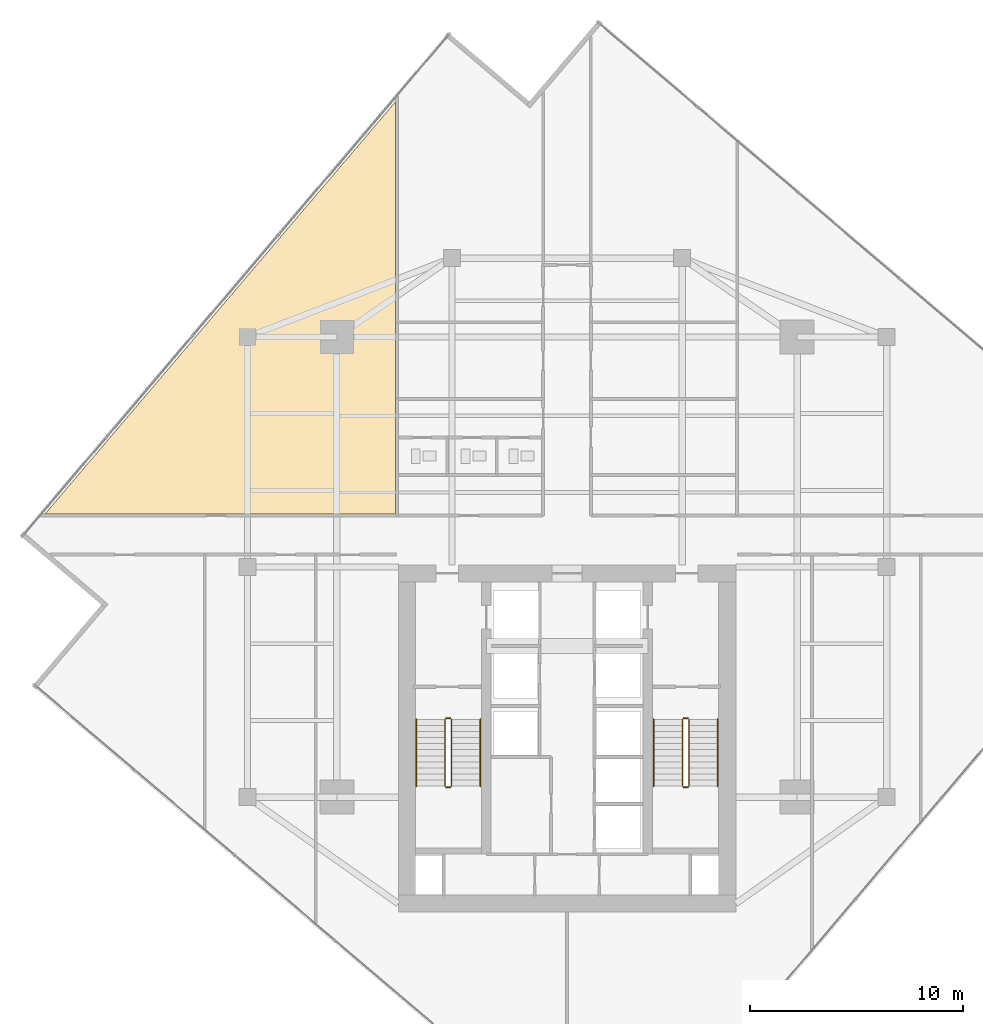
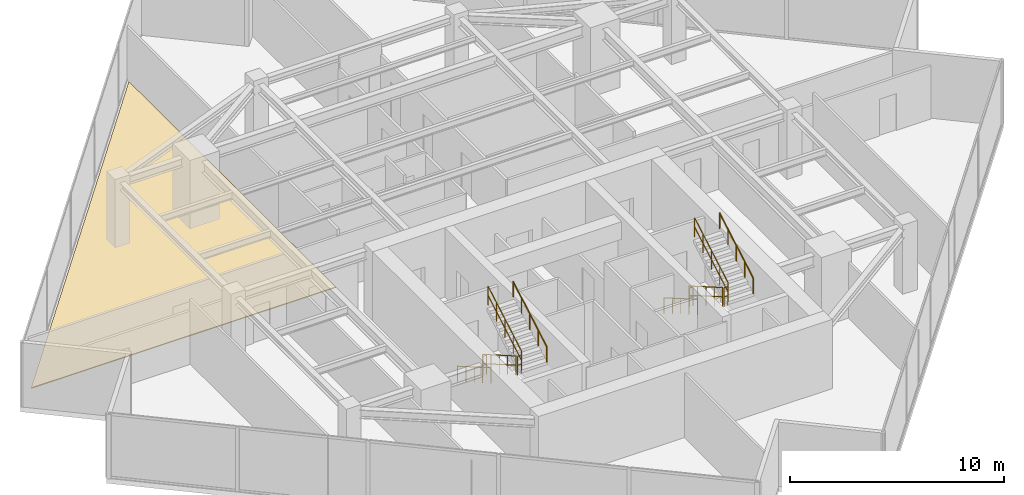
# One storey, part 25 of 26: 12 railings, 1 covering.
"""IFC4 building model written with IfcOpenShell, lengths in metres."""

import ifcopenshell
import ifcopenshell.guid

model = None  # the IFC model being written
_history = None  # IfcOwnerHistory: only IFC2X3 demands one
_inside = {}  # id of a spatial element -> (the spatial element, [elements in it])
_under = {}  # id of a project, library or spatial element -> (it, [spatial elements below it])
_declared = {}  # id of a project -> (the project, [libraries it declares])
_typed = {}  # id of a type object -> (the type object, [elements of that type])
_made_of = {}  # id of a material, layer set ... -> (it, [elements and type objects made of it])


def new_model(schema):
    """Start an empty IFC model of exactly this schema.

    Asked for "IFC4X3", IfcOpenShell would pick the latest addendum, in which some entities
    have other attributes; the version numbers below select the first issue.
    IFC2X3 requires an IfcOwnerHistory on every rooted entity: one is made here for all.
    """
    global model, _history
    if schema == "IFC4X3":
        model = ifcopenshell.file(schema_version=(4, 3, 0, 0))
    else:
        model = ifcopenshell.file(schema=schema)
    _inside.clear()
    _under.clear()
    _declared.clear()
    _typed.clear()
    _made_of.clear()
    _history = None
    if model.schema == "IFC2X3":
        org = make("IfcOrganization", Name="unknown")
        user = make(
            "IfcPersonAndOrganization",
            ThePerson=make("IfcPerson", FamilyName="unknown"),
            TheOrganization=org,
        )
        app = make(
            "IfcApplication",
            ApplicationDeveloper=org,
            Version="unknown",
            ApplicationFullName="unknown",
            ApplicationIdentifier="unknown",
        )
        _history = make(
            "IfcOwnerHistory",
            OwningUser=user,
            OwningApplication=app,
            ChangeAction="ADDED",
            CreationDate=0,
        )
    return model


def make(cls, **values):
    """One entity of the class cls with the attributes given. An attribute that is None is left unset."""
    return model.create_entity(
        cls, **{name: value for name, value in values.items() if value is not None}
    )


def rooted(cls, **values):
    """An entity with a GlobalId (a new one), such as an element, a storey or a relation."""
    return make(cls, GlobalId=ifcopenshell.guid.new(), OwnerHistory=_history, **values)


def si_unit(unit_type, name, prefix=None):
    """IfcSIUnit, for example si_unit("LENGTHUNIT", "METRE", prefix="MILLI")."""
    return make("IfcSIUnit", UnitType=unit_type, Prefix=prefix, Name=name)


def assignment(units):
    """IfcUnitAssignment: the units of a project."""
    return None if units is None else make("IfcUnitAssignment", Units=units)


def point(xyz):
    """IfcCartesianPoint."""
    return None if xyz is None else make("IfcCartesianPoint", Coordinates=xyz)


def direction(xyz):
    """IfcDirection."""
    return None if xyz is None else make("IfcDirection", DirectionRatios=xyz)


def frame(location, z_axis=None, x_axis=None):
    """IfcAxis2Placement3D, a coordinate frame: its origin and axes. An axis left out is left unset."""
    return make(
        "IfcAxis2Placement3D",
        Location=point(location),
        Axis=direction(z_axis),
        RefDirection=direction(x_axis),
    )


def frame_2d(location, x_axis=None):
    """IfcAxis2Placement2D, a coordinate frame in the plane: its origin and x axis."""
    return make(
        "IfcAxis2Placement2D", Location=point(location), RefDirection=direction(x_axis)
    )


def origin():
    """The frame at (0, 0, 0) with its axes left unset."""
    return frame((0.0, 0.0, 0.0))


def origin_2d():
    """The frame at (0, 0) in the plane with its x axis left unset."""
    return frame_2d((0.0, 0.0))


def place(relative_to, where):
    """IfcLocalPlacement: puts the frame where relative to a parent placement (None: the world)."""
    return make(
        "IfcLocalPlacement", PlacementRelTo=relative_to, RelativePlacement=where
    )


def context(
    kind, dimensions, precision=None, world=None, true_north=None, identifier=None
):
    """IfcGeometricRepresentationContext, for example the 3D "Model" context."""
    return make(
        "IfcGeometricRepresentationContext",
        ContextIdentifier=identifier,
        ContextType=kind,
        CoordinateSpaceDimension=dimensions,
        Precision=precision,
        WorldCoordinateSystem=world,
        TrueNorth=true_north,
    )


def subcontext(parent, identifier, kind, view, scale=None):
    """IfcGeometricRepresentationSubContext, for example "Body" below "Model"."""
    return make(
        "IfcGeometricRepresentationSubContext",
        ContextIdentifier=identifier,
        ContextType=kind,
        ParentContext=parent,
        TargetScale=scale,
        TargetView=view,
    )


def project(units=None, contexts=None):
    """IfcProject with its units and contexts."""
    return rooted(
        "IfcProject",
        Name="project",
        RepresentationContexts=contexts,
        UnitsInContext=assignment(units),
    )


def spatial(cls, under=None, at=None, **own):
    """A site, building, storey or space (cls), placed at a placement, below another one or the project."""
    s = rooted(cls, ObjectPlacement=at, **own)
    if under is not None:
        _under.setdefault(under.id(), (under, []))[1].append(s)
    return s


def polyline(points):
    """IfcPolyline through the points."""
    return make("IfcPolyline", Points=[point(p) for p in points])


def profile(cls, at=None, kind="AREA", **sizes):
    """A parametric profile (cls). Its sizes go by their IFC names, for example OverallWidth=200.0."""
    return make(cls, ProfileType=kind, Position=at, **sizes)


def circle(**sizes):
    """IfcCircleProfileDef."""
    return profile("IfcCircleProfileDef", **sizes)


def outline(outer, holes=None, kind="AREA"):
    """IfcArbitraryClosedProfileDef: a profile drawn as a closed curve; with holes, ...WithVoids."""
    if holes is None:
        return make("IfcArbitraryClosedProfileDef", ProfileType=kind, OuterCurve=outer)
    return make(
        "IfcArbitraryProfileDefWithVoids",
        ProfileType=kind,
        OuterCurve=outer,
        InnerCurves=holes,
    )


def extrude(swept, where, along, depth):
    """IfcExtrudedAreaSolid: the profile swept, set in the frame where, extruded along a direction by depth."""
    return make(
        "IfcExtrudedAreaSolid",
        SweptArea=swept,
        Position=where,
        ExtrudedDirection=direction(along),
        Depth=depth,
    )


def shape(context_of_items, identifier, shape_type, items):
    """IfcShapeRepresentation: the items that make up one representation, for example the "Body"."""
    return make(
        "IfcShapeRepresentation",
        ContextOfItems=context_of_items,
        RepresentationIdentifier=identifier,
        RepresentationType=shape_type,
        Items=items,
    )


def material(Name=None, Category=None):
    """IfcMaterial."""
    return make("IfcMaterial", Name=Name, Category=Category)


def layer(
    of_material, thickness, ventilated=None, Name=None, Category=None, Priority=None
):
    """IfcMaterialLayer: one layer of a wall or slab, of a material (None: an air gap)."""
    return make(
        "IfcMaterialLayer",
        Material=of_material,
        LayerThickness=thickness,
        IsVentilated=ventilated,
        Name=Name,
        Category=Category,
        Priority=Priority,
    )


def layer_set(layers, Name=None):
    """IfcMaterialLayerSet."""
    return make("IfcMaterialLayerSet", MaterialLayers=layers, LayerSetName=Name)


def made_of(thing, what):
    """Note that an element or type object is made of a material, layer set ...; save() writes the relation."""
    if what is not None:
        _made_of.setdefault(what.id(), (what, []))[1].append(thing)
    return thing


def type_object(cls, material=None, **own):
    """A type object (cls), such as IfcWallType, which elements share."""
    return made_of(rooted(cls, **own), material)


def element(
    cls,
    number,
    at=None,
    inside=None,
    cuts=None,
    type_object=None,
    material=None,
    context=None,
    identifier="Body",
    shape_type=None,
    held_by="IfcProductDefinitionShape",
    body=None,
    shapes=None,
    **own,
):
    """One element of the class cls, such as IfcWall. Its Tag is "e" and its number.

    at: its placement. inside: the storey or other place that contains it. cuts: it is an
    opening in that element (IfcRelVoidsElement). A single representation is given by context,
    identifier, shape_type and body (its items); several are given by shapes. held_by: the class
    of the entity that holds the representations. save() writes the other relations.
    """
    e = rooted(cls, Tag="e%d" % number, ObjectPlacement=at, **own)
    if body is not None:
        shapes = [shape(context, identifier, shape_type, body)]
    if shapes is not None:
        e.Representation = make(held_by, Representations=shapes)
    if inside is not None:
        _inside.setdefault(inside.id(), (inside, []))[1].append(e)
    if cuts is not None:
        rooted(
            "IfcRelVoidsElement", RelatingBuildingElement=cuts, RelatedOpeningElement=e
        )
    if type_object is not None:
        _typed.setdefault(type_object.id(), (type_object, []))[1].append(e)
    return made_of(e, material)


def aggregate(whole, parts):
    """IfcRelAggregates: a whole, such as a stair, and the parts it consists of."""
    return rooted("IfcRelAggregates", RelatingObject=whole, RelatedObjects=parts)


def save(model, path):
    """Write the relations noted so far, then the file.

    IfcRelAggregates (storeys below a building ...), IfcRelContainedInSpatialStructure (elements
    in a storey), IfcRelDefinesByType, IfcRelAssociatesMaterial and IfcRelDeclares: one each for
    every whole, place, type object, material and project.
    """
    for whole, parts in _under.values():
        aggregate(whole, parts)
    for where, things in _inside.values():
        rooted(
            "IfcRelContainedInSpatialStructure",
            RelatedElements=things,
            RelatingStructure=where,
        )
    for kind, things in _typed.values():
        rooted("IfcRelDefinesByType", RelatedObjects=things, RelatingType=kind)
    for what, things in _made_of.values():
        rooted("IfcRelAssociatesMaterial", RelatedObjects=things, RelatingMaterial=what)
    for by, libraries in _declared.values():
        rooted("IfcRelDeclares", RelatingContext=by, RelatedDefinitions=libraries)
    model.write(path)


model = new_model("IFC4")

# Units and contexts
model_context = context("Model", 3, precision=1e-05, world=origin(), true_north=direction((0.0, 1.0)))
body_context = subcontext(model_context, "Body", "Model", "MODEL_VIEW")
ifc_project = project(units=[si_unit("LENGTHUNIT", "METRE"), si_unit("AREAUNIT", "SQUARE_METRE"), si_unit("VOLUMEUNIT", "CUBIC_METRE"), si_unit("PLANEANGLEUNIT", "RADIAN"), si_unit("MASSUNIT", "GRAM", prefix="KILO")], contexts=[model_context])

# Site, building, storey
site_placement = place(None, origin())
site = spatial("IfcSite", under=ifc_project, at=site_placement, CompositionType="ELEMENT")
building_placement = place(site_placement, origin())
building = spatial("IfcBuilding", under=site, at=building_placement, Name="Krantzveldt Concourse Tower", CompositionType="ELEMENT")
storey_placement = place(building_placement, frame((0.0, 0.0, 207.300048828125)))
storey = spatial("IfcBuildingStorey", under=building, at=storey_placement, Name="L50", CompositionType="ELEMENT", Elevation=207.300048828125)

# Covering
ifc_material_1 = material(Name="Calcium-sulphate raised access floor panel", Category="flooring")
ifc_layer_1 = layer(ifc_material_1, 0.050048828125, Name="Calcium-sulphate raised access floor panel", Category="flooring")
ifc_layer_set_1 = layer_set([ifc_layer_1], Name="Calcium-sulphate raised access floor panel (COV-FLOOR-RAISED)")
covering_type = type_object("IfcCoveringType", Name="COV-FLOOR-RAISED", PredefinedType="FLOORING", material=ifc_layer_set_1)
covering_placement = place(storey_placement, origin())
element("IfcCovering", 1, at=covering_placement, inside=storey, type_object=covering_type, Name="FLR-SP-L50-NWX1", PredefinedType="FLOORING", context=body_context, shape_type="SweptSolid", body=[
    extrude(outline(polyline([(11.50537109375, 29.199951171875), (27.93994140625, 48.52783203125), (27.93994140625, 29.199951171875), (11.50537109375, 29.199951171875)])), origin(), (0.0, 0.0, 1.0), 0.050048828125),
])

# Railings
ifc_material_2 = material(Name="Stainless steel 316L", Category="steel")
ifc_layer_2 = layer(ifc_material_2, 0.06005859375, Name="Stainless steel 316L", Category="steel")
ifc_layer_set_2 = layer_set([ifc_layer_2], Name="Stainless steel 316L (RL-GUARD-1120)")
railing_type_1 = type_object("IfcRailingType", Name="RL-GUARD-1120", PredefinedType="GUARDRAIL", material=ifc_layer_set_2)
railing_1_placement = place(storey_placement, frame((30.280029296875, 19.550048828125, 0.16455078125)))
element("IfcRailing", 2, at=railing_1_placement, inside=storey, type_object=railing_type_1, Name="L50 ST-1 stair guard 1", PredefinedType="GUARDRAIL", context=body_context, shape_type="SweptSolid", body=[
    extrude(circle(Radius=0.02392578125, at=origin_2d()), frame((0.0, 0.0, 1.076171875), z_axis=(0.0, -0.865989039225, 0.500062979975), x_axis=(1.0, 0.0, 0.0)), (0.0, 0.0, 1.0), 3.6201171875),
    extrude(circle(Radius=0.02392578125, at=origin_2d()), frame((0.0, 0.0, 0.550048828125), z_axis=(0.0, -0.865989039225, 0.500062979975), x_axis=(1.0, 0.0, 0.0)), (0.0, 0.0, 1.0), 3.6201171875),
    extrude(circle(Radius=0.02099609375, at=origin_2d()), origin(), (0.0, 0.0, 1.0), 1.052001953125),
    extrude(circle(Radius=0.02099609375, at=origin_2d()), frame((0.0, -0.78369140625, 0.45263671875)), (0.0, 0.0, 1.0), 1.052001953125),
    extrude(circle(Radius=0.02099609375, at=origin_2d()), frame((0.0, -1.5673828125, 0.9052734375)), (0.0, 0.0, 1.0), 1.052001953125),
    extrude(circle(Radius=0.02099609375, at=origin_2d()), frame((0.0, -2.351318359375, 1.357666015625)), (0.0, 0.0, 1.0), 1.052001953125),
    extrude(circle(Radius=0.02099609375, at=origin_2d()), frame((0.0, -3.135009765625, 1.810302734375)), (0.0, 0.0, 1.0), 1.052001953125),
])
railing_2_placement = place(storey_placement, frame((30.330078125, 16.364990234375, 1.974853515625)))
element("IfcRailing", 3, at=railing_2_placement, inside=storey, type_object=railing_type_1, Name="L50 ST-1 stair guard 2", PredefinedType="GUARDRAIL", context=body_context, shape_type="SweptSolid", body=[
    extrude(circle(Radius=0.02392578125, at=origin_2d()), frame((0.0, 0.0, 1.076171875), z_axis=(1.0, 0.0, 0.0), x_axis=(0.0, 1.0, 0.0)), (0.0, 0.0, 1.0), 0.199951171875),
    extrude(circle(Radius=0.02392578125, at=origin_2d()), frame((0.0, 0.0, 0.550048828125), z_axis=(1.0, 0.0, 0.0), x_axis=(0.0, 1.0, 0.0)), (0.0, 0.0, 1.0), 0.199951171875),
    extrude(circle(Radius=0.02099609375, at=origin_2d()), origin(), (0.0, 0.0, 1.0), 1.052001953125),
    extrude(circle(Radius=0.02099609375, at=origin_2d()), frame((0.199951171875, 0.0, 0.0)), (0.0, 0.0, 1.0), 1.052001953125),
])
railing_3_placement = place(storey_placement, frame((30.580078125, 16.4150390625, 2.1396484375)))
element("IfcRailing", 4, at=railing_3_placement, inside=storey, type_object=railing_type_1, Name="L50 ST-1 stair guard 3", PredefinedType="GUARDRAIL", context=body_context, shape_type="SweptSolid", body=[
    extrude(circle(Radius=0.02392578125, at=origin_2d()), frame((0.0, 0.0, 1.076171875), z_axis=(0.0, 0.865989039225, 0.500062979975), x_axis=(-1.0, 0.0, 0.0)), (0.0, 0.0, 1.0), 3.6201171875),
    extrude(circle(Radius=0.02392578125, at=origin_2d()), frame((0.0, 0.0, 0.550048828125), z_axis=(0.0, 0.865989039225, 0.500062979975), x_axis=(-1.0, 0.0, 0.0)), (0.0, 0.0, 1.0), 3.6201171875),
    extrude(circle(Radius=0.02099609375, at=origin_2d()), origin(), (0.0, 0.0, 1.0), 1.052001953125),
    extrude(circle(Radius=0.02099609375, at=origin_2d()), frame((0.0, 0.78369140625, 0.45263671875)), (0.0, 0.0, 1.0), 1.052001953125),
    extrude(circle(Radius=0.02099609375, at=origin_2d()), frame((0.0, 1.5673828125, 0.9052734375)), (0.0, 0.0, 1.0), 1.052001953125),
    extrude(circle(Radius=0.02099609375, at=origin_2d()), frame((0.0, 2.351318359375, 1.357666015625)), (0.0, 0.0, 1.0), 1.052001953125),
    extrude(circle(Radius=0.02099609375, at=origin_2d()), frame((0.0, 3.135009765625, 1.810302734375)), (0.0, 0.0, 1.0), 1.052001953125),
])
railing_4_placement = place(storey_placement, frame((30.330078125, 19.60009765625, 0.0)))
element("IfcRailing", 5, at=railing_4_placement, inside=storey, type_object=railing_type_1, Name="L50 ST-1 stair guard 4", PredefinedType="GUARDRAIL", context=body_context, shape_type="SweptSolid", body=[
    extrude(circle(Radius=0.02392578125, at=origin_2d()), frame((0.0, 0.0, 1.076171875), z_axis=(1.0, 0.0, 0.0), x_axis=(0.0, 1.0, 0.0)), (0.0, 0.0, 1.0), 0.199951171875),
    extrude(circle(Radius=0.02392578125, at=origin_2d()), frame((0.0, 0.0, 0.550048828125), z_axis=(1.0, 0.0, 0.0), x_axis=(0.0, 1.0, 0.0)), (0.0, 0.0, 1.0), 0.199951171875),
    extrude(circle(Radius=0.02099609375, at=origin_2d()), origin(), (0.0, 0.0, 1.0), 1.052001953125),
    extrude(circle(Radius=0.02099609375, at=origin_2d()), frame((0.199951171875, 0.0, 0.0)), (0.0, 0.0, 1.0), 1.052001953125),
])
railing_5_placement = place(storey_placement, frame((41.419921875, 19.550048828125, 0.16455078125)))
element("IfcRailing", 6, at=railing_5_placement, inside=storey, type_object=railing_type_1, Name="L50 ST-2 stair guard 1", PredefinedType="GUARDRAIL", context=body_context, shape_type="SweptSolid", body=[
    extrude(circle(Radius=0.02392578125, at=origin_2d()), frame((0.0, 0.0, 1.076171875), z_axis=(0.0, -0.865989039225, 0.500062979975), x_axis=(1.0, 0.0, 0.0)), (0.0, 0.0, 1.0), 3.6201171875),
    extrude(circle(Radius=0.02392578125, at=origin_2d()), frame((0.0, 0.0, 0.550048828125), z_axis=(0.0, -0.865989039225, 0.500062979975), x_axis=(1.0, 0.0, 0.0)), (0.0, 0.0, 1.0), 3.6201171875),
    extrude(circle(Radius=0.02099609375, at=origin_2d()), origin(), (0.0, 0.0, 1.0), 1.052001953125),
    extrude(circle(Radius=0.02099609375, at=origin_2d()), frame((0.0, -0.78369140625, 0.45263671875)), (0.0, 0.0, 1.0), 1.052001953125),
    extrude(circle(Radius=0.02099609375, at=origin_2d()), frame((0.0, -1.5673828125, 0.9052734375)), (0.0, 0.0, 1.0), 1.052001953125),
    extrude(circle(Radius=0.02099609375, at=origin_2d()), frame((0.0, -2.351318359375, 1.357666015625)), (0.0, 0.0, 1.0), 1.052001953125),
    extrude(circle(Radius=0.02099609375, at=origin_2d()), frame((0.0, -3.135009765625, 1.810302734375)), (0.0, 0.0, 1.0), 1.052001953125),
])
railing_6_placement = place(storey_placement, frame((41.469970703125, 16.364990234375, 1.974853515625)))
element("IfcRailing", 7, at=railing_6_placement, inside=storey, type_object=railing_type_1, Name="L50 ST-2 stair guard 2", PredefinedType="GUARDRAIL", context=body_context, shape_type="SweptSolid", body=[
    extrude(circle(Radius=0.02392578125, at=origin_2d()), frame((0.0, 0.0, 1.076171875), z_axis=(1.0, 0.0, 0.0), x_axis=(0.0, 1.0, 0.0)), (0.0, 0.0, 1.0), 0.199951171875),
    extrude(circle(Radius=0.02392578125, at=origin_2d()), frame((0.0, 0.0, 0.550048828125), z_axis=(1.0, 0.0, 0.0), x_axis=(0.0, 1.0, 0.0)), (0.0, 0.0, 1.0), 0.199951171875),
    extrude(circle(Radius=0.02099609375, at=origin_2d()), origin(), (0.0, 0.0, 1.0), 1.052001953125),
    extrude(circle(Radius=0.02099609375, at=origin_2d()), frame((0.199951171875, 0.0, 0.0)), (0.0, 0.0, 1.0), 1.052001953125),
])
railing_7_placement = place(storey_placement, frame((41.719970703125, 16.4150390625, 2.1396484375)))
element("IfcRailing", 8, at=railing_7_placement, inside=storey, type_object=railing_type_1, Name="L50 ST-2 stair guard 3", PredefinedType="GUARDRAIL", context=body_context, shape_type="SweptSolid", body=[
    extrude(circle(Radius=0.02392578125, at=origin_2d()), frame((0.0, 0.0, 1.076171875), z_axis=(0.0, 0.865989039225, 0.500062979975), x_axis=(-1.0, 0.0, 0.0)), (0.0, 0.0, 1.0), 3.6201171875),
    extrude(circle(Radius=0.02392578125, at=origin_2d()), frame((0.0, 0.0, 0.550048828125), z_axis=(0.0, 0.865989039225, 0.500062979975), x_axis=(-1.0, 0.0, 0.0)), (0.0, 0.0, 1.0), 3.6201171875),
    extrude(circle(Radius=0.02099609375, at=origin_2d()), origin(), (0.0, 0.0, 1.0), 1.052001953125),
    extrude(circle(Radius=0.02099609375, at=origin_2d()), frame((0.0, 0.78369140625, 0.45263671875)), (0.0, 0.0, 1.0), 1.052001953125),
    extrude(circle(Radius=0.02099609375, at=origin_2d()), frame((0.0, 1.5673828125, 0.9052734375)), (0.0, 0.0, 1.0), 1.052001953125),
    extrude(circle(Radius=0.02099609375, at=origin_2d()), frame((0.0, 2.351318359375, 1.357666015625)), (0.0, 0.0, 1.0), 1.052001953125),
    extrude(circle(Radius=0.02099609375, at=origin_2d()), frame((0.0, 3.135009765625, 1.810302734375)), (0.0, 0.0, 1.0), 1.052001953125),
])
railing_8_placement = place(storey_placement, frame((41.469970703125, 19.60009765625, 0.0)))
element("IfcRailing", 9, at=railing_8_placement, inside=storey, type_object=railing_type_1, Name="L50 ST-2 stair guard 4", PredefinedType="GUARDRAIL", context=body_context, shape_type="SweptSolid", body=[
    extrude(circle(Radius=0.02392578125, at=origin_2d()), frame((0.0, 0.0, 1.076171875), z_axis=(1.0, 0.0, 0.0), x_axis=(0.0, 1.0, 0.0)), (0.0, 0.0, 1.0), 0.199951171875),
    extrude(circle(Radius=0.02392578125, at=origin_2d()), frame((0.0, 0.0, 0.550048828125), z_axis=(1.0, 0.0, 0.0), x_axis=(0.0, 1.0, 0.0)), (0.0, 0.0, 1.0), 0.199951171875),
    extrude(circle(Radius=0.02099609375, at=origin_2d()), origin(), (0.0, 0.0, 1.0), 1.052001953125),
    extrude(circle(Radius=0.02099609375, at=origin_2d()), frame((0.199951171875, 0.0, 0.0)), (0.0, 0.0, 1.0), 1.052001953125),
])
ifc_layer_3 = layer(ifc_material_2, 0.050048828125, Name="Stainless steel 316L", Category="steel")
ifc_layer_set_3 = layer_set([ifc_layer_3], Name="Stainless steel 316L (RL-HANDRAIL-920)")
railing_type_2 = type_object("IfcRailingType", Name="RL-HANDRAIL-920", PredefinedType="HANDRAIL", material=ifc_layer_set_3)
railing_9_placement = place(storey_placement, frame((28.929931640625, 19.550048828125, 0.16455078125)))
element("IfcRailing", 10, at=railing_9_placement, inside=storey, type_object=railing_type_2, Name="L50 ST-1 stair handrail 1", PredefinedType="HANDRAIL", context=body_context, shape_type="SweptSolid", body=[
    extrude(circle(Radius=0.02392578125, at=origin_2d()), frame((0.0, 0.0, 0.8759765625), z_axis=(0.0, -0.865989039225, 0.500062979975), x_axis=(1.0, 0.0, 0.0)), (0.0, 0.0, 1.0), 3.6201171875),
    extrude(circle(Radius=0.02099609375, at=origin_2d()), origin(), (0.0, 0.0, 1.0), 0.851806640625),
    extrude(circle(Radius=0.02099609375, at=origin_2d()), frame((0.0, -0.78369140625, 0.45263671875)), (0.0, 0.0, 1.0), 0.851806640625),
    extrude(circle(Radius=0.02099609375, at=origin_2d()), frame((0.0, -1.5673828125, 0.9052734375)), (0.0, 0.0, 1.0), 0.851806640625),
    extrude(circle(Radius=0.02099609375, at=origin_2d()), frame((0.0, -2.351318359375, 1.357666015625)), (0.0, 0.0, 1.0), 0.851806640625),
    extrude(circle(Radius=0.02099609375, at=origin_2d()), frame((0.0, -3.135009765625, 1.810302734375)), (0.0, 0.0, 1.0), 0.851806640625),
])
railing_10_placement = place(storey_placement, frame((31.929931640625, 16.4150390625, 2.1396484375)))
element("IfcRailing", 11, at=railing_10_placement, inside=storey, type_object=railing_type_2, Name="L50 ST-1 stair handrail 2", PredefinedType="HANDRAIL", context=body_context, shape_type="SweptSolid", body=[
    extrude(circle(Radius=0.02392578125, at=origin_2d()), frame((0.0, 0.0, 0.8759765625), z_axis=(0.0, 0.865989039225, 0.500062979975), x_axis=(-1.0, 0.0, 0.0)), (0.0, 0.0, 1.0), 3.6201171875),
    extrude(circle(Radius=0.02099609375, at=origin_2d()), origin(), (0.0, 0.0, 1.0), 0.851806640625),
    extrude(circle(Radius=0.02099609375, at=origin_2d()), frame((0.0, 0.78369140625, 0.45263671875)), (0.0, 0.0, 1.0), 0.851806640625),
    extrude(circle(Radius=0.02099609375, at=origin_2d()), frame((0.0, 1.5673828125, 0.9052734375)), (0.0, 0.0, 1.0), 0.851806640625),
    extrude(circle(Radius=0.02099609375, at=origin_2d()), frame((0.0, 2.351318359375, 1.357666015625)), (0.0, 0.0, 1.0), 0.851806640625),
    extrude(circle(Radius=0.02099609375, at=origin_2d()), frame((0.0, 3.135009765625, 1.810302734375)), (0.0, 0.0, 1.0), 0.851806640625),
])
railing_11_placement = place(storey_placement, frame((40.070068359375, 19.550048828125, 0.16455078125)))
element("IfcRailing", 12, at=railing_11_placement, inside=storey, type_object=railing_type_2, Name="L50 ST-2 stair handrail 1", PredefinedType="HANDRAIL", context=body_context, shape_type="SweptSolid", body=[
    extrude(circle(Radius=0.02392578125, at=origin_2d()), frame((0.0, 0.0, 0.8759765625), z_axis=(0.0, -0.865989039225, 0.500062979975), x_axis=(1.0, 0.0, 0.0)), (0.0, 0.0, 1.0), 3.6201171875),
    extrude(circle(Radius=0.02099609375, at=origin_2d()), origin(), (0.0, 0.0, 1.0), 0.851806640625),
    extrude(circle(Radius=0.02099609375, at=origin_2d()), frame((0.0, -0.78369140625, 0.45263671875)), (0.0, 0.0, 1.0), 0.851806640625),
    extrude(circle(Radius=0.02099609375, at=origin_2d()), frame((0.0, -1.5673828125, 0.9052734375)), (0.0, 0.0, 1.0), 0.851806640625),
    extrude(circle(Radius=0.02099609375, at=origin_2d()), frame((0.0, -2.351318359375, 1.357666015625)), (0.0, 0.0, 1.0), 0.851806640625),
    extrude(circle(Radius=0.02099609375, at=origin_2d()), frame((0.0, -3.135009765625, 1.810302734375)), (0.0, 0.0, 1.0), 0.851806640625),
])
railing_12_placement = place(storey_placement, frame((43.070068359375, 16.4150390625, 2.1396484375)))
element("IfcRailing", 13, at=railing_12_placement, inside=storey, type_object=railing_type_2, Name="L50 ST-2 stair handrail 2", PredefinedType="HANDRAIL", context=body_context, shape_type="SweptSolid", body=[
    extrude(circle(Radius=0.02392578125, at=origin_2d()), frame((0.0, 0.0, 0.8759765625), z_axis=(0.0, 0.865989039225, 0.500062979975), x_axis=(-1.0, 0.0, 0.0)), (0.0, 0.0, 1.0), 3.6201171875),
    extrude(circle(Radius=0.02099609375, at=origin_2d()), origin(), (0.0, 0.0, 1.0), 0.851806640625),
    extrude(circle(Radius=0.02099609375, at=origin_2d()), frame((0.0, 0.78369140625, 0.45263671875)), (0.0, 0.0, 1.0), 0.851806640625),
    extrude(circle(Radius=0.02099609375, at=origin_2d()), frame((0.0, 1.5673828125, 0.9052734375)), (0.0, 0.0, 1.0), 0.851806640625),
    extrude(circle(Radius=0.02099609375, at=origin_2d()), frame((0.0, 2.351318359375, 1.357666015625)), (0.0, 0.0, 1.0), 0.851806640625),
    extrude(circle(Radius=0.02099609375, at=origin_2d()), frame((0.0, 3.135009765625, 1.810302734375)), (0.0, 0.0, 1.0), 0.851806640625),
])

save(model, "model.ifc")
